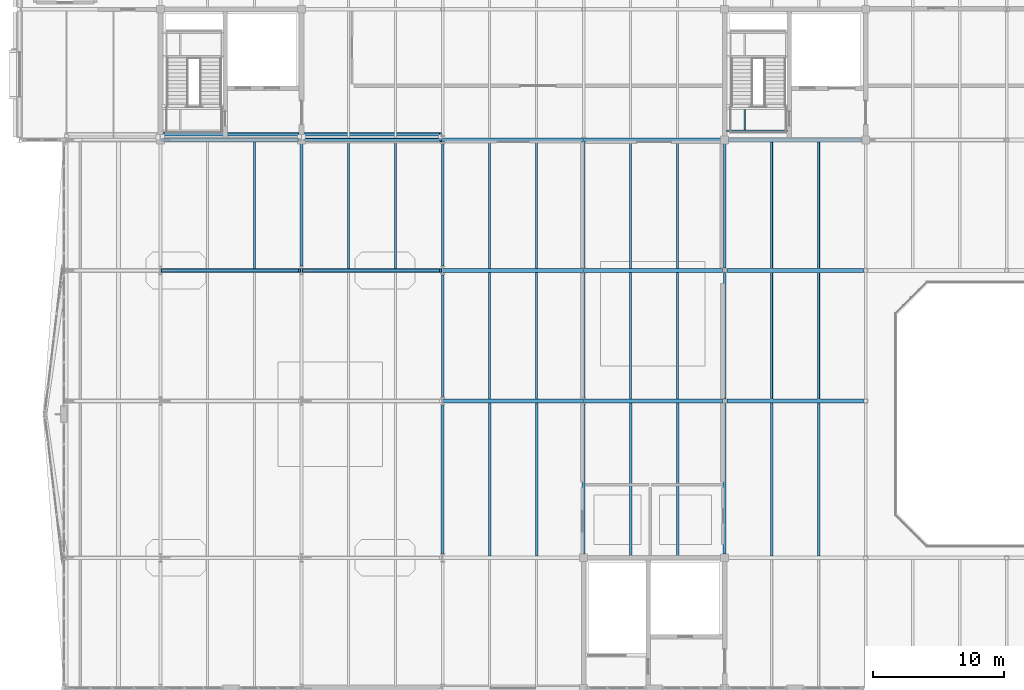
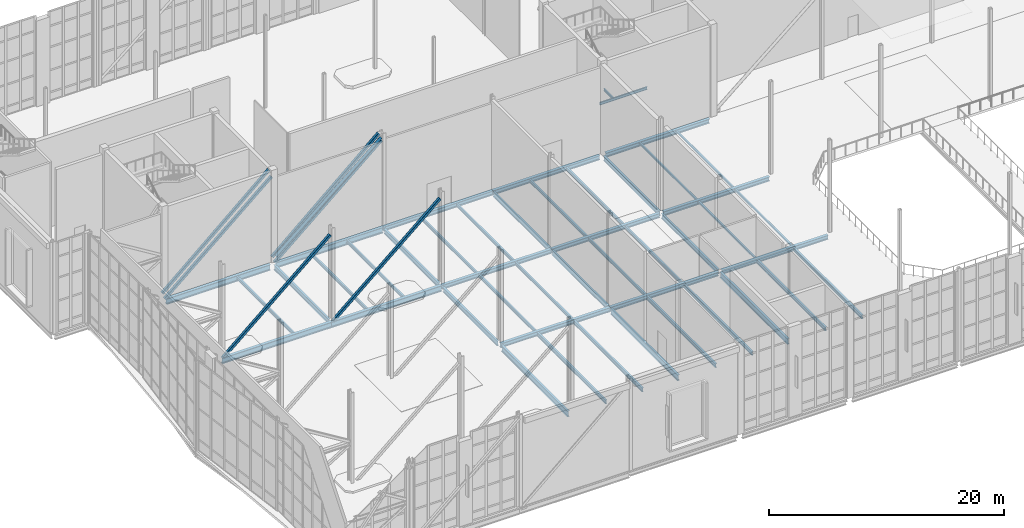
# One storey, part 27 of 100: 46 beams, 7 members.
"""IFC4 building model written with IfcOpenShell, lengths in metres."""

from ifc_helpers import new_model, si_unit, direction, frame, origin, origin_2d, place, context, subcontext, project, spatial, hollow_rectangle, hollow_circle, i_section, extrude, material, material_profile, profile_set, type_object, element, save


model = new_model("IFC4")

# Units and contexts
model_context = context("Model", 3, precision=1e-05, world=origin(), true_north=direction((0.0, 1.0)))
body_context = subcontext(model_context, "Body", "Model", "MODEL_VIEW")
ifc_project = project(units=[si_unit("LENGTHUNIT", "METRE"), si_unit("AREAUNIT", "SQUARE_METRE"), si_unit("VOLUMEUNIT", "CUBIC_METRE"), si_unit("PLANEANGLEUNIT", "RADIAN"), si_unit("MASSUNIT", "GRAM", prefix="KILO")], contexts=[model_context])

# Site, building, storey
site_placement = place(None, origin())
site = spatial("IfcSite", under=ifc_project, at=site_placement, CompositionType="ELEMENT")
building_placement = place(site_placement, origin())
building = spatial("IfcBuilding", under=site, at=building_placement, Name="Tasgan Crest Museum", CompositionType="ELEMENT")
storey_placement = place(building_placement, frame((0.0, 0.0, 14.39990234375)))
storey = spatial("IfcBuildingStorey", under=building, at=storey_placement, Name="L03", CompositionType="ELEMENT", Elevation=14.39990234375)

# Beams
ifc_material_1 = material(Name="Steel S355K2", Category="steel")
ifc_material_profile_1 = material_profile(ifc_material_1, i_section(OverallWidth=0.300048828125, OverallDepth=0.60009765625, WebThickness=0.015380859375, FlangeThickness=0.030029296875, FilletRadius=0.027099609375, at=origin_2d()), Name="HEB 600")
ifc_profile_set_1 = profile_set([ifc_material_profile_1], Name="Steel S355K2")
beam_type_1 = type_object("IfcBeamType", Name="BM-CANT-G1", PredefinedType="BEAM", material=ifc_profile_set_1)
for number, where, z_axis, x_axis, name in (
    (1, (10.806396484375, 72.0, -0.559814453125), (1.0, 0.0, 0.0), (0.0, 1.0, 0.0), "Transfer back-span girder 1 MID H"),
    (2, (21.6064453125, 72.0, -0.559814453125), (1.0, 0.0, 0.0), (0.0, 1.0, 0.0), "Transfer back-span girder 2 MID H"),
):
    element("IfcBeam", number, at=place(storey_placement, frame(where, z_axis=z_axis, x_axis=x_axis)), inside=storey, type_object=beam_type_1, Name=name, PredefinedType="BEAM", context=body_context, shape_type="SweptSolid", body=[
        extrude(i_section(OverallWidth=0.300048828125, OverallDepth=0.60009765625, WebThickness=0.015380859375, FlangeThickness=0.030029296875, FilletRadius=0.027099609375, at=origin_2d()), origin(), (0.0, 0.0, 1.0), 10.787109375),
    ])
beam_1_placement = place(storey_placement, frame((11.095947265625, 82.0, -0.559814453125), z_axis=(1.0, 0.0, 0.0), x_axis=(0.0, 1.0, 0.0)))
element("IfcBeam", 3, at=beam_1_placement, inside=storey, type_object=beam_type_1, Name="Transfer back-span girder 1 MID J", PredefinedType="BEAM", context=body_context, shape_type="SweptSolid", body=[
    extrude(i_section(OverallWidth=0.300048828125, OverallDepth=0.60009765625, WebThickness=0.015380859375, FlangeThickness=0.030029296875, FilletRadius=0.027099609375, at=origin_2d()), origin(), (0.0, 0.0, 1.0), 10.2080078125),
])
beam_2_placement = place(storey_placement, frame((21.89599609375, 82.0, -0.559814453125), z_axis=(1.0, 0.0, 0.0), x_axis=(0.0, 1.0, 0.0)))
element("IfcBeam", 4, at=beam_2_placement, inside=storey, type_object=beam_type_1, Name="Transfer back-span girder 2 MID J", PredefinedType="BEAM", context=body_context, shape_type="SweptSolid", body=[
    extrude(i_section(OverallWidth=0.300048828125, OverallDepth=0.60009765625, WebThickness=0.015380859375, FlangeThickness=0.030029296875, FilletRadius=0.027099609375, at=origin_2d()), origin(), (0.0, 0.0, 1.0), 10.49755859375),
])
ifc_material_2 = material(Name="Steel S355J2", Category="steel")
ifc_material_profile_2 = material_profile(ifc_material_2, i_section(OverallWidth=0.300048828125, OverallDepth=0.43994140625, WebThickness=0.011474609375, FlangeThickness=0.02099609375, FilletRadius=0.027099609375, at=origin_2d()), Name="HEA 450")
ifc_profile_set_2 = profile_set([ifc_material_profile_2], Name="Steel S355J2")
beam_type_2 = type_object("IfcBeamType", Name="BM-G-HEA450", PredefinedType="BEAM", material=ifc_profile_set_2)
beam_3_placement = place(storey_placement, frame((32.406494140625, 62.0, -0.47998046875), z_axis=(1.0, 0.0, 0.0), x_axis=(0.0, 1.0, 0.0)))
element("IfcBeam", 5, at=beam_3_placement, inside=storey, type_object=beam_type_2, Name="Girder L03 G 32.4-43.2", PredefinedType="BEAM", context=body_context, shape_type="SweptSolid", body=[
    extrude(i_section(OverallWidth=0.300048828125, OverallDepth=0.43994140625, WebThickness=0.011474609375, FlangeThickness=0.02099609375, FilletRadius=0.027099609375, at=origin_2d()), origin(), (0.0, 0.0, 1.0), 10.78857421875),
])
beam_4_placement = place(storey_placement, frame((43.205078125, 62.0, -0.47998046875), z_axis=(1.0, 0.0, 0.0), x_axis=(0.0, 1.0, 0.0)))
element("IfcBeam", 6, at=beam_4_placement, inside=storey, type_object=beam_type_2, Name="Girder L03 G 43.2-54.0", PredefinedType="BEAM", context=body_context, shape_type="SweptSolid", body=[
    extrude(i_section(OverallWidth=0.300048828125, OverallDepth=0.43994140625, WebThickness=0.011474609375, FlangeThickness=0.02099609375, FilletRadius=0.027099609375, at=origin_2d()), origin(), (0.0, 0.0, 1.0), 10.62109375),
])
beam_5_placement = place(storey_placement, frame((54.173828125, 62.0, -0.4599609375), z_axis=(1.0, 0.0, 0.0), x_axis=(0.0, 1.0, 0.0)))
element("IfcBeam", 7, at=beam_5_placement, inside=storey, type_object=beam_type_2, Name="Girder L03 G 54.0-64.8", PredefinedType="BEAM", context=body_context, shape_type="SweptSolid", body=[
    extrude(i_section(OverallWidth=0.300048828125, OverallDepth=0.43994140625, WebThickness=0.011474609375, FlangeThickness=0.02099609375, FilletRadius=0.027099609375, at=origin_2d()), origin(), (0.0, 0.0, 1.0), 10.452392578125),
])
beam_6_placement = place(storey_placement, frame((32.406494140625, 72.0, -0.47998046875), z_axis=(1.0, 0.0, 0.0), x_axis=(0.0, 1.0, 0.0)))
element("IfcBeam", 8, at=beam_6_placement, inside=storey, type_object=beam_type_2, Name="Girder L03 H 32.4-43.2", PredefinedType="BEAM", context=body_context, shape_type="SweptSolid", body=[
    extrude(i_section(OverallWidth=0.300048828125, OverallDepth=0.43994140625, WebThickness=0.011474609375, FlangeThickness=0.02099609375, FilletRadius=0.027099609375, at=origin_2d()), origin(), (0.0, 0.0, 1.0), 10.78857421875),
])
beam_7_placement = place(storey_placement, frame((43.205078125, 72.0, -0.47998046875), z_axis=(1.0, 0.0, 0.0), x_axis=(0.0, 1.0, 0.0)))
element("IfcBeam", 9, at=beam_7_placement, inside=storey, type_object=beam_type_2, Name="Girder L03 H 43.2-54.0", PredefinedType="BEAM", context=body_context, shape_type="SweptSolid", body=[
    extrude(i_section(OverallWidth=0.300048828125, OverallDepth=0.43994140625, WebThickness=0.011474609375, FlangeThickness=0.02099609375, FilletRadius=0.027099609375, at=origin_2d()), origin(), (0.0, 0.0, 1.0), 10.62109375),
])
beam_8_placement = place(storey_placement, frame((54.173828125, 72.0, -0.4599609375), z_axis=(1.0, 0.0, 0.0), x_axis=(0.0, 1.0, 0.0)))
element("IfcBeam", 10, at=beam_8_placement, inside=storey, type_object=beam_type_2, Name="Girder L03 H 54.0-64.8", PredefinedType="BEAM", context=body_context, shape_type="SweptSolid", body=[
    extrude(i_section(OverallWidth=0.300048828125, OverallDepth=0.43994140625, WebThickness=0.011474609375, FlangeThickness=0.02099609375, FilletRadius=0.027099609375, at=origin_2d()), origin(), (0.0, 0.0, 1.0), 10.452392578125),
])
ifc_material_3 = material(Name="Steel S355J2", Category="steel")
ifc_material_profile_3 = material_profile(ifc_material_3, i_section(OverallWidth=0.300048828125, OverallDepth=0.449951171875, WebThickness=0.013916015625, FlangeThickness=0.02587890625, FilletRadius=0.027099609375, at=origin_2d()), Name="HEB 450")
ifc_profile_set_3 = profile_set([ifc_material_profile_3], Name="Steel S355J2")
beam_type_3 = type_object("IfcBeamType", Name="BM-G-HEB450", PredefinedType="BEAM", material=ifc_profile_set_3)
beam_9_placement = place(storey_placement, frame((32.406494140625, 82.0, -0.48486328125), z_axis=(1.0, 0.0, 0.0), x_axis=(0.0, 1.0, 0.0)))
element("IfcBeam", 11, at=beam_9_placement, inside=storey, type_object=beam_type_3, Name="Girder L03 J 32.4-43.2", PredefinedType="BEAM", context=body_context, shape_type="SweptSolid", body=[
    extrude(i_section(OverallWidth=0.300048828125, OverallDepth=0.449951171875, WebThickness=0.013916015625, FlangeThickness=0.02587890625, FilletRadius=0.027099609375, at=origin_2d()), origin(), (0.0, 0.0, 1.0), 10.78857421875),
])
beam_10_placement = place(storey_placement, frame((43.205078125, 82.0, -0.48486328125), z_axis=(1.0, 0.0, 0.0), x_axis=(0.0, 1.0, 0.0)))
element("IfcBeam", 12, at=beam_10_placement, inside=storey, type_object=beam_type_3, Name="Girder L03 J 43.2-54.0", PredefinedType="BEAM", context=body_context, shape_type="SweptSolid", body=[
    extrude(i_section(OverallWidth=0.300048828125, OverallDepth=0.449951171875, WebThickness=0.013916015625, FlangeThickness=0.02587890625, FilletRadius=0.027099609375, at=origin_2d()), origin(), (0.0, 0.0, 1.0), 10.4990234375),
])
beam_11_placement = place(storey_placement, frame((54.2958984375, 82.0, -0.46484375), z_axis=(1.0, 0.0, 0.0), x_axis=(0.0, 1.0, 0.0)))
element("IfcBeam", 13, at=beam_11_placement, inside=storey, type_object=beam_type_3, Name="Girder L03 J 54.0-64.8", PredefinedType="BEAM", context=body_context, shape_type="SweptSolid", body=[
    extrude(i_section(OverallWidth=0.300048828125, OverallDepth=0.449951171875, WebThickness=0.013916015625, FlangeThickness=0.02587890625, FilletRadius=0.027099609375, at=origin_2d()), origin(), (0.0, 0.0, 1.0), 10.2080078125),
])
ifc_material_4 = material(Name="Steel S355J2", Category="steel")
ifc_material_profile_4 = material_profile(ifc_material_4, i_section(OverallWidth=0.199951171875, OverallDepth=0.5, WebThickness=0.01025390625, FlangeThickness=0.01611328125, FilletRadius=0.02099609375, at=origin_2d()), Name="IPE 500")
ifc_profile_set_4 = profile_set([ifc_material_profile_4], Name="Steel S355J2")
beam_type_4 = type_object("IfcBeamType", Name="BM-G-IPE500", PredefinedType="BEAM", material=ifc_profile_set_4)
beam_12_placement = place(storey_placement, frame((21.60009765625, 72.344970703125, -0.510009765625), z_axis=(0.0, 1.0, 0.0), x_axis=(-1.0, 0.0, 0.0)))
element("IfcBeam", 14, at=beam_12_placement, inside=storey, type_object=beam_type_4, Name="Beam L03 3 72.0-82.0", PredefinedType="BEAM", context=body_context, shape_type="SweptSolid", body=[
    extrude(i_section(OverallWidth=0.199951171875, OverallDepth=0.5, WebThickness=0.01025390625, FlangeThickness=0.01611328125, FilletRadius=0.02099609375, at=origin_2d()), origin(), (0.0, 0.0, 1.0), 9.360107421875),
])
for number, where, z_axis, x_axis, name in (
    (15, (32.39990234375, 62.344970703125, -0.510009765625), (0.0, 1.0, 0.0), (-1.0, 0.0, 0.0), "Beam L03 4 62.0-72.0"),
    (16, (32.39990234375, 72.344970703125, -0.510009765625), (0.0, 1.0, 0.0), (-1.0, 0.0, 0.0), "Beam L03 4 72.0-82.0"),
):
    element("IfcBeam", number, at=place(storey_placement, frame(where, z_axis=z_axis, x_axis=x_axis)), inside=storey, type_object=beam_type_4, Name=name, PredefinedType="BEAM", context=body_context, shape_type="SweptSolid", body=[
        extrude(i_section(OverallWidth=0.199951171875, OverallDepth=0.5, WebThickness=0.01025390625, FlangeThickness=0.01611328125, FilletRadius=0.02099609375, at=origin_2d()), origin(), (0.0, 0.0, 1.0), 9.31005859375),
    ])
for number, where, z_axis, x_axis, name in (
    (17, (43.199951171875, 62.219970703125, -0.510009765625), (0.0, 1.0, 0.0), (-1.0, 0.0, 0.0), "Beam L03 5 62.0-72.0"),
    (18, (43.199951171875, 72.219970703125, -0.510009765625), (0.0, 1.0, 0.0), (-1.0, 0.0, 0.0), "Beam L03 5 72.0-82.0"),
):
    element("IfcBeam", number, at=place(storey_placement, frame(where, z_axis=z_axis, x_axis=x_axis)), inside=storey, type_object=beam_type_4, Name=name, PredefinedType="BEAM", context=body_context, shape_type="SweptSolid", body=[
        extrude(i_section(OverallWidth=0.199951171875, OverallDepth=0.5, WebThickness=0.01025390625, FlangeThickness=0.01611328125, FilletRadius=0.02099609375, at=origin_2d()), origin(), (0.0, 0.0, 1.0), 9.56005859375),
    ])
beam_13_placement = place(storey_placement, frame((54.0, 62.1728515625, -0.510009765625), z_axis=(0.0, 1.0, 0.0), x_axis=(-1.0, 0.0, 0.0)))
element("IfcBeam", 19, at=beam_13_placement, inside=storey, type_object=beam_type_4, Name="Beam L03 6 62.0-72.0", PredefinedType="BEAM", context=body_context, shape_type="SweptSolid", body=[
    extrude(i_section(OverallWidth=0.199951171875, OverallDepth=0.5, WebThickness=0.01025390625, FlangeThickness=0.01611328125, FilletRadius=0.02099609375, at=origin_2d()), origin(), (0.0, 0.0, 1.0), 9.654296875),
])
beam_14_placement = place(storey_placement, frame((54.0, 72.1728515625, -0.510009765625), z_axis=(0.0, 1.0, 0.0), x_axis=(-1.0, 0.0, 0.0)))
element("IfcBeam", 20, at=beam_14_placement, inside=storey, type_object=beam_type_4, Name="Beam L03 6 72.0-82.0", PredefinedType="BEAM", context=body_context, shape_type="SweptSolid", body=[
    extrude(i_section(OverallWidth=0.199951171875, OverallDepth=0.5, WebThickness=0.01025390625, FlangeThickness=0.01611328125, FilletRadius=0.02099609375, at=origin_2d()), origin(), (0.0, 0.0, 1.0), 9.5322265625),
])
ifc_material_5 = material(Name="Steel S355J2", Category="steel")
ifc_material_profile_5 = material_profile(ifc_material_5, i_section(OverallWidth=0.219970703125, OverallDepth=0.60009765625, WebThickness=0.011962890625, FlangeThickness=0.01904296875, FilletRadius=0.02392578125, at=origin_2d()), Name="IPE 600")
ifc_profile_set_5 = profile_set([ifc_material_profile_5], Name="Steel S355J2")
beam_type_5 = type_object("IfcBeamType", Name="BM-G-IPE600", PredefinedType="BEAM", material=ifc_profile_set_5)
beam_15_placement = place(storey_placement, frame((32.39990234375, 50.344970703125, -0.559814453125), z_axis=(0.0, 1.0, 0.0), x_axis=(-1.0, 0.0, 0.0)))
element("IfcBeam", 21, at=beam_15_placement, inside=storey, type_object=beam_type_5, Name="Beam L03 4 50.0-62.0", PredefinedType="BEAM", context=body_context, shape_type="SweptSolid", body=[
    extrude(i_section(OverallWidth=0.219970703125, OverallDepth=0.60009765625, WebThickness=0.011962890625, FlangeThickness=0.01904296875, FilletRadius=0.02392578125, at=origin_2d()), origin(), (0.0, 0.0, 1.0), 11.31005859375),
])
beam_16_placement = place(storey_placement, frame((43.199951171875, 50.294921875, -0.559814453125), z_axis=(0.0, 1.0, 0.0), x_axis=(-1.0, 0.0, 0.0)))
element("IfcBeam", 22, at=beam_16_placement, inside=storey, type_object=beam_type_5, Name="Beam L03 5 50.0-62.0", PredefinedType="BEAM", context=body_context, shape_type="SweptSolid", body=[
    extrude(i_section(OverallWidth=0.219970703125, OverallDepth=0.60009765625, WebThickness=0.011962890625, FlangeThickness=0.01904296875, FilletRadius=0.02392578125, at=origin_2d()), origin(), (0.0, 0.0, 1.0), 11.485107421875),
])
beam_17_placement = place(storey_placement, frame((54.0, 50.294921875, -0.559814453125), z_axis=(0.0, 1.0, 0.0), x_axis=(-1.0, 0.0, 0.0)))
element("IfcBeam", 23, at=beam_17_placement, inside=storey, type_object=beam_type_5, Name="Beam L03 6 50.0-62.0", PredefinedType="BEAM", context=body_context, shape_type="SweptSolid", body=[
    extrude(i_section(OverallWidth=0.219970703125, OverallDepth=0.60009765625, WebThickness=0.011962890625, FlangeThickness=0.01904296875, FilletRadius=0.02392578125, at=origin_2d()), origin(), (0.0, 0.0, 1.0), 11.5322265625),
])
ifc_material_6 = material(Name="Steel S355J2", Category="steel")
ifc_material_profile_6 = material_profile(ifc_material_6, i_section(OverallWidth=0.159912109375, OverallDepth=0.330078125, WebThickness=0.007568359375, FlangeThickness=0.011474609375, FilletRadius=0.01806640625, at=origin_2d()), Name="IPE 330")
ifc_profile_set_6 = profile_set([ifc_material_profile_6], Name="Steel S355J2")
beam_type_6 = type_object("IfcBeamType", Name="BM-J-IPE330", PredefinedType="JOIST", material=ifc_profile_set_6)
for number, where, z_axis, x_axis, name in (
    (24, (18.0, 72.14501953125, -0.4248046875), (0.0, 1.0, 0.0), (-1.0, 0.0, 0.0), "Secondary joist L03 X=18.0 Y=72.0-82.0"),
    (25, (25.199951171875, 72.14501953125, -0.4248046875), (0.0, 1.0, 0.0), (-1.0, 0.0, 0.0), "Secondary joist L03 X=25.2 Y=72.0-82.0"),
    (26, (28.800048828125, 72.14501953125, -0.4248046875), (0.0, 1.0, 0.0), (-1.0, 0.0, 0.0), "Secondary joist L03 X=28.8 Y=72.0-82.0"),
    (27, (36.0, 62.14501953125, -0.4248046875), (0.0, 1.0, 0.0), (-1.0, 0.0, 0.0), "Secondary joist L03 X=36.0 Y=62.0-72.0"),
    (28, (39.60009765625, 62.14501953125, -0.4248046875), (0.0, 1.0, 0.0), (-1.0, 0.0, 0.0), "Secondary joist L03 X=39.6 Y=62.0-72.0"),
    (29, (36.0, 72.14501953125, -0.4248046875), (0.0, 1.0, 0.0), (-1.0, 0.0, 0.0), "Secondary joist L03 X=36.0 Y=72.0-82.0"),
    (30, (39.60009765625, 72.14501953125, -0.4248046875), (0.0, 1.0, 0.0), (-1.0, 0.0, 0.0), "Secondary joist L03 X=39.6 Y=72.0-82.0"),
    (31, (46.800048828125, 62.14501953125, -0.4248046875), (0.0, 1.0, 0.0), (-1.0, 0.0, 0.0), "Secondary joist L03 X=46.8 Y=62.0-72.0"),
    (32, (50.39990234375, 62.14501953125, -0.4248046875), (0.0, 1.0, 0.0), (-1.0, 0.0, 0.0), "Secondary joist L03 X=50.4 Y=62.0-72.0"),
    (33, (46.800048828125, 72.14501953125, -0.4248046875), (0.0, 1.0, 0.0), (-1.0, 0.0, 0.0), "Secondary joist L03 X=46.8 Y=72.0-82.0"),
    (34, (50.39990234375, 72.14501953125, -0.4248046875), (0.0, 1.0, 0.0), (-1.0, 0.0, 0.0), "Secondary joist L03 X=50.4 Y=72.0-82.0"),
):
    element("IfcBeam", number, at=place(storey_placement, frame(where, z_axis=z_axis, x_axis=x_axis)), inside=storey, type_object=beam_type_6, Name=name, PredefinedType="JOIST", context=body_context, shape_type="SweptSolid", body=[
        extrude(i_section(OverallWidth=0.159912109375, OverallDepth=0.330078125, WebThickness=0.007568359375, FlangeThickness=0.011474609375, FilletRadius=0.01806640625, at=origin_2d()), origin(), (0.0, 0.0, 1.0), 9.7099609375),
    ])
ifc_material_7 = material(Name="Steel S355J2", Category="steel")
ifc_material_profile_7 = material_profile(ifc_material_7, i_section(OverallWidth=0.179931640625, OverallDepth=0.39990234375, WebThickness=0.008544921875, FlangeThickness=0.013427734375, FilletRadius=0.02099609375, at=origin_2d()), Name="IPE 400")
ifc_profile_set_7 = profile_set([ifc_material_profile_7], Name="Steel S355J2")
beam_type_7 = type_object("IfcBeamType", Name="BM-J-IPE400", PredefinedType="JOIST", material=ifc_profile_set_7)
for number, where, z_axis, x_axis, name in (
    (35, (36.0, 50.14501953125, -0.4599609375), (0.0, 1.0, 0.0), (-1.0, 0.0, 0.0), "Secondary joist L03 X=36.0 Y=50.0-62.0"),
    (36, (39.60009765625, 50.14501953125, -0.4599609375), (0.0, 1.0, 0.0), (-1.0, 0.0, 0.0), "Secondary joist L03 X=39.6 Y=50.0-62.0"),
    (37, (46.800048828125, 50.14501953125, -0.4599609375), (0.0, 1.0, 0.0), (-1.0, 0.0, 0.0), "Secondary joist L03 X=46.8 Y=50.0-62.0"),
    (38, (50.39990234375, 50.14501953125, -0.4599609375), (0.0, 1.0, 0.0), (-1.0, 0.0, 0.0), "Secondary joist L03 X=50.4 Y=50.0-62.0"),
    (39, (57.60009765625, 50.14501953125, -0.43994140625), (0.0, 1.0, 0.0), (-1.0, 0.0, 0.0), "Secondary joist L03 X=57.6 Y=50.0-62.0"),
    (40, (61.199951171875, 50.14501953125, -0.43994140625), (0.0, 1.0, 0.0), (-1.0, 0.0, 0.0), "Secondary joist L03 X=61.2 Y=50.0-62.0"),
):
    element("IfcBeam", number, at=place(storey_placement, frame(where, z_axis=z_axis, x_axis=x_axis)), inside=storey, type_object=beam_type_7, Name=name, PredefinedType="JOIST", context=body_context, shape_type="SweptSolid", body=[
        extrude(i_section(OverallWidth=0.179931640625, OverallDepth=0.39990234375, WebThickness=0.008544921875, FlangeThickness=0.013427734375, FilletRadius=0.02099609375, at=origin_2d()), origin(), (0.0, 0.0, 1.0), 11.7099609375),
    ])
ifc_material_8 = material(Name="Steel S355J2", Category="steel")
ifc_material_profile_8 = material_profile(ifc_material_8, hollow_rectangle(XDim=0.179931640625, YDim=0.179931640625, WallThickness=0.010009765625, InnerFilletRadius=0.010009765625, OuterFilletRadius=0.02001953125, at=origin_2d()), Name="SHS 180x180x10")
ifc_profile_set_8 = profile_set([ifc_material_profile_8], Name="Steel S355J2")
beam_type_8 = type_object("IfcBeamType", Name="BM-J-SHS180", PredefinedType="JOIST", material=ifc_profile_set_8)
for number, where, z_axis, x_axis, name in (
    (41, (57.60009765625, 62.14501953125, -0.329833984375), (0.0, 1.0, 0.0), (-1.0, 0.0, 0.0), "Secondary joist L03 X=57.6 Y=62.0-72.0"),
    (42, (61.199951171875, 62.14501953125, -0.329833984375), (0.0, 1.0, 0.0), (-1.0, 0.0, 0.0), "Secondary joist L03 X=61.2 Y=62.0-72.0"),
    (43, (57.60009765625, 72.14501953125, -0.329833984375), (0.0, 1.0, 0.0), (-1.0, 0.0, 0.0), "Secondary joist L03 X=57.6 Y=72.0-82.0"),
    (44, (61.199951171875, 72.14501953125, -0.329833984375), (0.0, 1.0, 0.0), (-1.0, 0.0, 0.0), "Secondary joist L03 X=61.2 Y=72.0-82.0"),
):
    element("IfcBeam", number, at=place(storey_placement, frame(where, z_axis=z_axis, x_axis=x_axis)), inside=storey, type_object=beam_type_8, Name=name, PredefinedType="JOIST", context=body_context, shape_type="SweptSolid", body=[
        extrude(hollow_rectangle(XDim=0.179931640625, YDim=0.179931640625, WallThickness=0.010009765625, InnerFilletRadius=0.010009765625, OuterFilletRadius=0.02001953125, at=origin_2d()), origin(), (0.0, 0.0, 1.0), 9.7099609375),
    ])
ifc_material_9 = material(Name="Steel S355J2", Category="steel")
ifc_material_profile_9 = material_profile(ifc_material_9, i_section(OverallWidth=0.1201171875, OverallDepth=0.239990234375, WebThickness=0.006103515625, FlangeThickness=0.009765625, FilletRadius=0.014892578125, at=origin_2d()), Name="IPE 240")
ifc_profile_set_9 = profile_set([ifc_material_profile_9], Name="Steel S355J2")
beam_type_9 = type_object("IfcBeamType", Name="BM-LAND-IPE240", PredefinedType="BEAM", material=ifc_profile_set_9)
beam_18_placement = place(storey_placement, frame((55.52490234375, 82.760009765625, 4.47998046875), z_axis=(0.0, 1.0, 0.0), x_axis=(-1.0, 0.0, 0.0)))
element("IfcBeam", 45, at=beam_18_placement, inside=storey, type_object=beam_type_9, Name="Stair intermediate landing crossbeam ST-NC-L03", PredefinedType="BEAM", context=body_context, shape_type="SweptSolid", body=[
    extrude(i_section(OverallWidth=0.1201171875, OverallDepth=0.239990234375, WebThickness=0.006103515625, FlangeThickness=0.009765625, FilletRadius=0.014892578125, at=origin_2d()), origin(), (0.0, 0.0, 1.0), 1.580078125),
])
ifc_material_10 = material(Name="Steel S355J2", Category="steel")
ifc_material_profile_10 = material_profile(ifc_material_10, i_section(OverallWidth=0.135009765625, OverallDepth=0.27001953125, WebThickness=0.006591796875, FlangeThickness=0.01025390625, FilletRadius=0.014892578125, at=origin_2d()), Name="IPE 270")
ifc_profile_set_10 = profile_set([ifc_material_profile_10], Name="Steel S355J2")
beam_type_10 = type_object("IfcBeamType", Name="BM-LAND-IPE270", PredefinedType="BEAM", material=ifc_profile_set_10)
beam_19_placement = place(storey_placement, frame((54.1298828125, 82.699951171875, 4.465087890625), z_axis=(1.0, 0.0, 0.0), x_axis=(0.0, 1.0, 0.0)))
element("IfcBeam", 46, at=beam_19_placement, inside=storey, type_object=beam_type_10, Name="Stair intermediate landing beam ST-NC-L03 F", PredefinedType="BEAM", context=body_context, shape_type="SweptSolid", body=[
    extrude(i_section(OverallWidth=0.135009765625, OverallDepth=0.27001953125, WebThickness=0.006591796875, FlangeThickness=0.01025390625, FilletRadius=0.014892578125, at=origin_2d()), origin(), (0.0, 0.0, 1.0), 4.690185546875),
])

# Members
ifc_material_11 = material(Name="Steel S355K2", Category="steel")
ifc_material_profile_11 = material_profile(ifc_material_11, hollow_circle(Radius=0.136474609375, WallThickness=0.012451171875, at=origin_2d()), Name="CHS 273x12.5")
ifc_profile_set_11 = profile_set([ifc_material_profile_11], Name="Steel S355K2")
member_type_1 = type_object("IfcMemberType", Name="MEM-BRACE-CHS273", PredefinedType="BRACE", material=ifc_profile_set_11)
member_placement = place(storey_placement, frame((21.89990234375, 82.0, 0.35009765625), z_axis=(0.765491039932, 0.0, 0.643446553945), x_axis=(0.0, 1.0, 0.0)))
element("IfcMember", 47, at=member_placement, inside=storey, type_object=member_type_1, Name="Diagonal brace L03 J 21.6-32.4", PredefinedType="BRACE", context=body_context, shape_type="SweptSolid", body=[
    extrude(hollow_circle(Radius=0.136474609375, WallThickness=0.012451171875, at=origin_2d()), origin(), (0.0, 0.0, 1.0), 13.520751953125),
])
ifc_material_12 = material(Name="Steel S355K2", Category="steel")
ifc_material_profile_12 = material_profile(ifc_material_12, hollow_rectangle(XDim=0.260009765625, YDim=0.260009765625, WallThickness=0.01416015625, InnerFilletRadius=0.01416015625, OuterFilletRadius=0.0283203125, at=origin_2d()), Name="SHS 260x260x14.2")
ifc_profile_set_12 = profile_set([ifc_material_profile_12], Name="Steel S355K2")
member_type_2 = type_object("IfcMemberType", Name="TR-CANT-DIAG", PredefinedType="BRACE", material=ifc_profile_set_12)
for number, where, z_axis, x_axis, name in (
    (48, (10.949951171875, 72.0, -0.27978515625), (0.757121387748, 0.0, 0.653274218237), (0.0, 1.0, 0.0), "Transfer truss diagonal L03 H-2"),
    (49, (21.75, 72.0, -0.27978515625), (0.757121387748, 0.0, 0.653274218237), (0.0, 1.0, 0.0), "Transfer truss diagonal L03 H-3"),
    (50, (10.949951171875, 82.0, -0.27978515625), (0.757121387748, 0.0, 0.653274218237), (0.0, 1.0, 0.0), "Transfer truss diagonal L03 J-2"),
    (51, (21.75, 82.0, -0.27978515625), (0.757121387748, 0.0, 0.653274218237), (0.0, 1.0, 0.0), "Transfer truss diagonal L03 J-3"),
):
    element("IfcMember", number, at=place(storey_placement, frame(where, z_axis=z_axis, x_axis=x_axis)), inside=storey, type_object=member_type_2, Name=name, PredefinedType="BRACE", context=body_context, shape_type="SweptSolid", body=[
        extrude(hollow_rectangle(XDim=0.260009765625, YDim=0.260009765625, WallThickness=0.01416015625, InnerFilletRadius=0.01416015625, OuterFilletRadius=0.0283203125, at=origin_2d()), origin(), (0.0, 0.0, 1.0), 13.868408203125),
    ])
for number, where, z_axis, x_axis, name in (
    (52, (10.949951171875, 82.419921875, 0.050048828125), (0.752134521341, 0.0, 0.659009606764), (0.0, 1.0, 0.0), "Exposed transfer truss diagonal N4"),
    (53, (21.75, 82.419921875, 0.050048828125), (0.752134521341, 0.0, 0.659009606764), (0.0, 1.0, 0.0), "Exposed transfer truss diagonal N5"),
):
    element("IfcMember", number, at=place(storey_placement, frame(where, z_axis=z_axis, x_axis=x_axis)), inside=storey, type_object=member_type_2, Name=name, PredefinedType="BRACE", context=body_context, shape_type="SweptSolid", body=[
        extrude(hollow_rectangle(XDim=0.260009765625, YDim=0.260009765625, WallThickness=0.01416015625, InnerFilletRadius=0.01416015625, OuterFilletRadius=0.0283203125, at=origin_2d()), origin(), (0.0, 0.0, 1.0), 13.960205078125),
    ])

save(model, "model.ifc")
